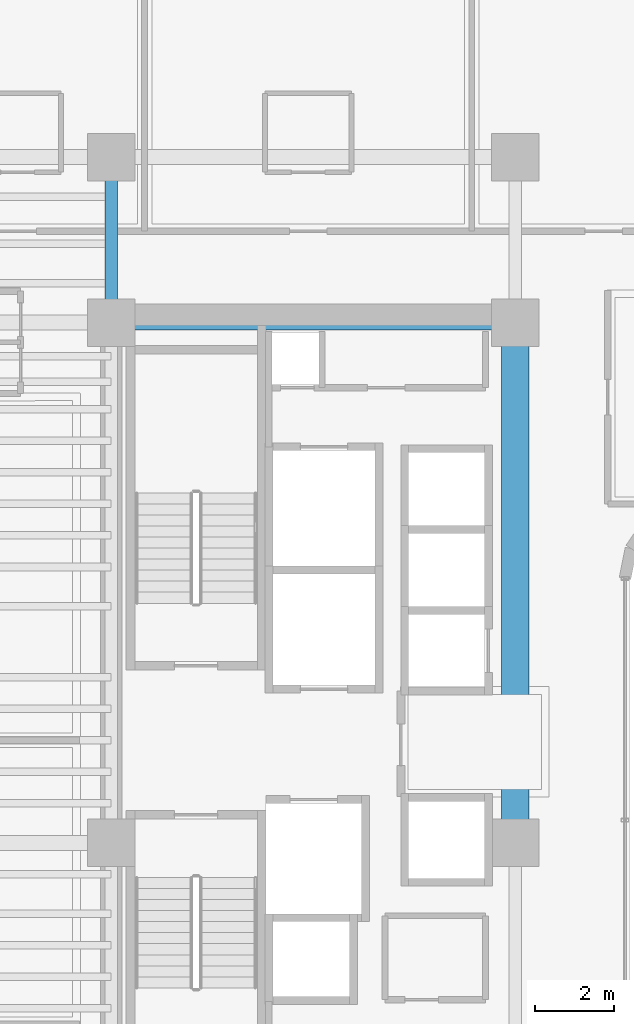
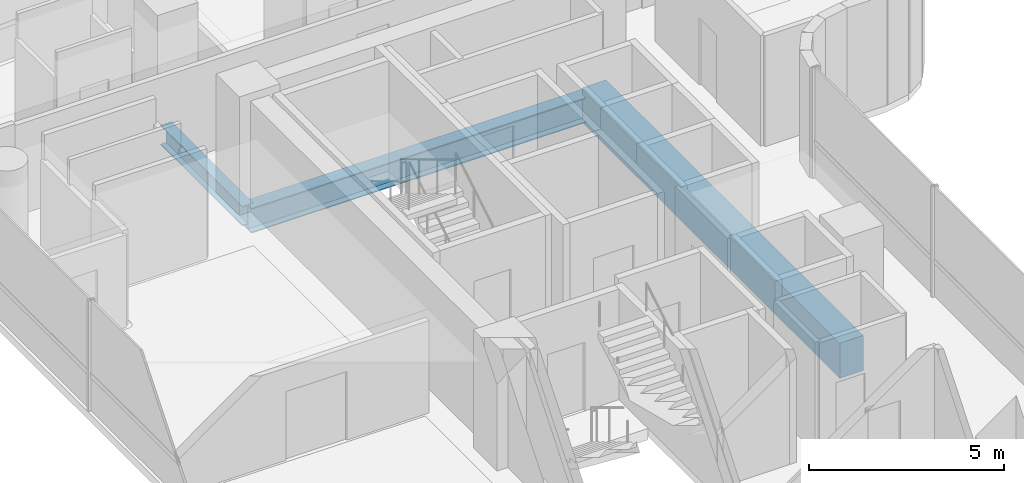
# One storey, part 10 of 33: 3 beams.
"""IFC4 building model written with IfcOpenShell, lengths in metres."""

from ifc_helpers import new_model, si_unit, direction, frame, origin, origin_2d, place, context, subcontext, project, spatial, rectangle, i_section, extrude, source, transform, mapped, material, material_profile, profile_set, type_object, element, save


model = new_model("IFC4")

# Units and contexts
model_context = context("Model", 3, precision=1e-05, world=origin(), true_north=direction((0.0, 1.0)))
body_context = subcontext(model_context, "Body", "Model", "MODEL_VIEW")
ifc_project = project(units=[si_unit("LENGTHUNIT", "METRE"), si_unit("AREAUNIT", "SQUARE_METRE"), si_unit("VOLUMEUNIT", "CUBIC_METRE"), si_unit("PLANEANGLEUNIT", "RADIAN"), si_unit("MASSUNIT", "GRAM", prefix="KILO")], contexts=[model_context])

# Site, building, storey
site_placement = place(None, origin())
site = spatial("IfcSite", under=ifc_project, at=site_placement, CompositionType="ELEMENT")
building_placement = place(site_placement, origin())
building = spatial("IfcBuilding", under=site, at=building_placement, Name="Valdorenza Pilgrim Sanctuary Tower", CompositionType="ELEMENT")
storey_placement = place(building_placement, frame((0.0, 0.0, 157.5)))
storey = spatial("IfcBuildingStorey", under=building, at=storey_placement, Name="L40", CompositionType="ELEMENT", Elevation=157.5)

# Beams
ifc_material_1 = material(Name="Concrete C50/60", Category="concrete")
ifc_material_profile_1 = material_profile(ifc_material_1, rectangle(XDim=0.699951171875, YDim=1.10009765625, at=origin_2d()), Name="RC 1100x700")
ifc_profile_set_1 = profile_set([ifc_material_profile_1], Name="Concrete C50/60")
beam_type_1 = type_object("IfcBeamType", Name="STR-BM-LNT-1100", PredefinedType="LINTEL", material=ifc_profile_set_1)
shared_shape_1 = source(origin(), body_context, "Body", "SweptSolid", [
    extrude(rectangle(XDim=0.699951171875, YDim=1.10009765625, at=origin_2d()), origin(), (0.0, 0.0, 1.0), 13.2001953125),
])
beam_1_placement = place(storey_placement, frame((-12.39990234375, -2.60009765625, -0.590087890625), z_axis=(0.0, 1.0, 0.0), x_axis=(-1.0, 0.0, 0.0)))
element("IfcBeam", 1, at=beam_1_placement, inside=storey, type_object=beam_type_1, Name="L40 Core A Coupling Lintel Girder", PredefinedType="LINTEL", context=body_context, shape_type="MappedRepresentation", body=[
    mapped(shared_shape_1, transform((0.0, 0.0, 0.0), x_axis=(1.0, 0.0, 0.0), y_axis=(0.0, 1.0, 0.0), z_axis=(0.0, 0.0, 1.0), scale=1.0)),
])
ifc_material_2 = material(Name="Steel ASTM A992 Grade 50", Category="steel")
ifc_material_profile_2 = material_profile(ifc_material_2, i_section(OverallWidth=0.323974609375, OverallDepth=0.611083984375, WebThickness=0.0126953125, FlangeThickness=0.01904296875, at=origin_2d()), Name="W24X104")
ifc_profile_set_2 = profile_set([ifc_material_profile_2], Name="Steel ASTM A992 Grade 50")
beam_type_2 = type_object("IfcBeamType", Name="STR-BM-GRD-W24B", PredefinedType="BEAM", material=ifc_profile_set_2)
shared_shape_2 = source(origin(), body_context, "Body", "SweptSolid", [
    extrude(i_section(OverallWidth=0.323974609375, OverallDepth=0.611083984375, WebThickness=0.0126953125, FlangeThickness=0.01904296875, at=origin_2d()), origin(), (0.0, 0.0, 1.0), 4.199951171875),
])
beam_2_placement = place(storey_placement, frame((-22.64990234375, 10.60009765625, -0.54541015625), z_axis=(0.0, 1.0, 0.0), x_axis=(-1.0, 0.0, 0.0)))
element("IfcBeam", 2, at=beam_2_placement, inside=storey, type_object=beam_type_2, Name="L40 Core Tie Girder CA-W-N1N2", PredefinedType="BEAM", context=body_context, shape_type="MappedRepresentation", body=[
    mapped(shared_shape_2, transform((0.0, 0.0, 0.0), x_axis=(1.0, 0.0, 0.0), y_axis=(0.0, 1.0, 0.0), z_axis=(0.0, 0.0, 1.0), scale=1.0)),
])
ifc_material_profile_3 = material_profile(ifc_material_2, i_section(OverallWidth=0.382080078125, OverallDepth=0.779052734375, WebThickness=0.01806640625, FlangeThickness=0.030029296875, at=origin_2d()), Name="W30X191")
ifc_profile_set_3 = profile_set([ifc_material_profile_3], Name="Steel ASTM A992 Grade 50")
beam_type_3 = type_object("IfcBeamType", Name="STR-BM-GRD-W30", PredefinedType="BEAM", material=ifc_profile_set_3)
shared_shape_3 = source(origin(), body_context, "Body", "SweptSolid", [
    extrude(i_section(OverallWidth=0.382080078125, OverallDepth=0.779052734375, WebThickness=0.01806640625, FlangeThickness=0.030029296875, at=origin_2d()), origin(), (0.0, 0.0, 1.0), 10.25),
])
beam_3_placement = place(storey_placement, frame((-22.64990234375, 10.60009765625, -0.62939453125), z_axis=(1.0, 0.0, 0.0), x_axis=(0.0, 1.0, 0.0)))
element("IfcBeam", 3, at=beam_3_placement, inside=storey, type_object=beam_type_3, Name="L40 Floor Girder CA-XC-N1", PredefinedType="BEAM", context=body_context, shape_type="MappedRepresentation", body=[
    mapped(shared_shape_3, transform((0.0, 0.0, 0.0), x_axis=(1.0, 0.0, 0.0), y_axis=(0.0, 1.0, 0.0), z_axis=(0.0, 0.0, 1.0), scale=1.0)),
])

save(model, "model.ifc")
